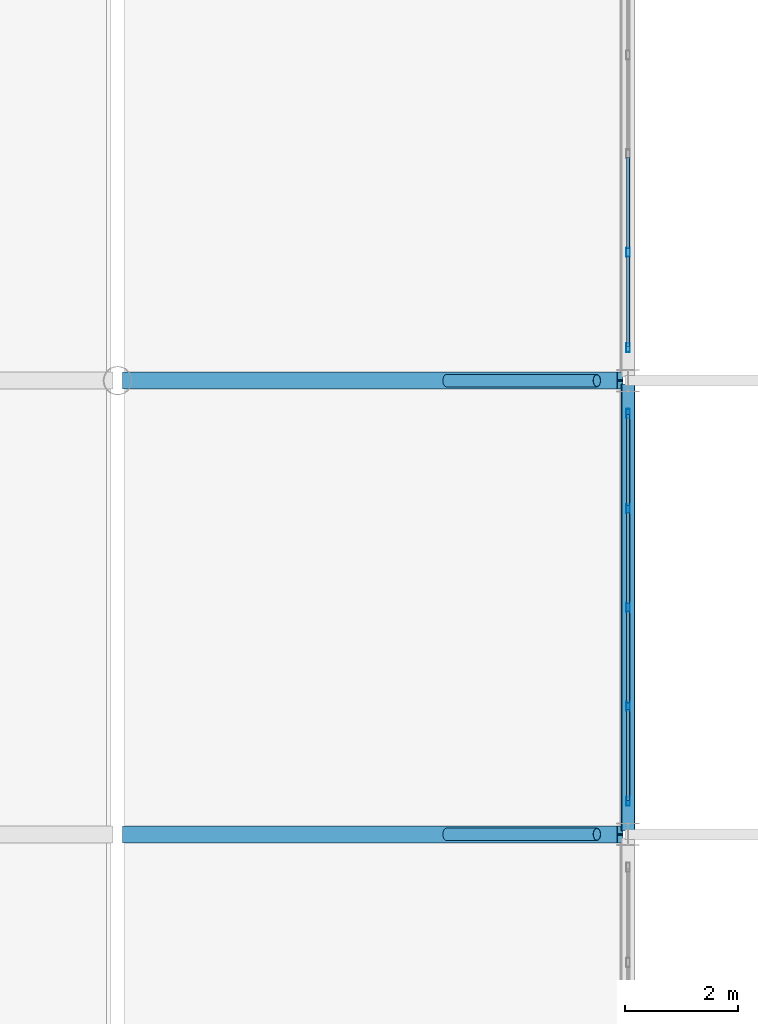
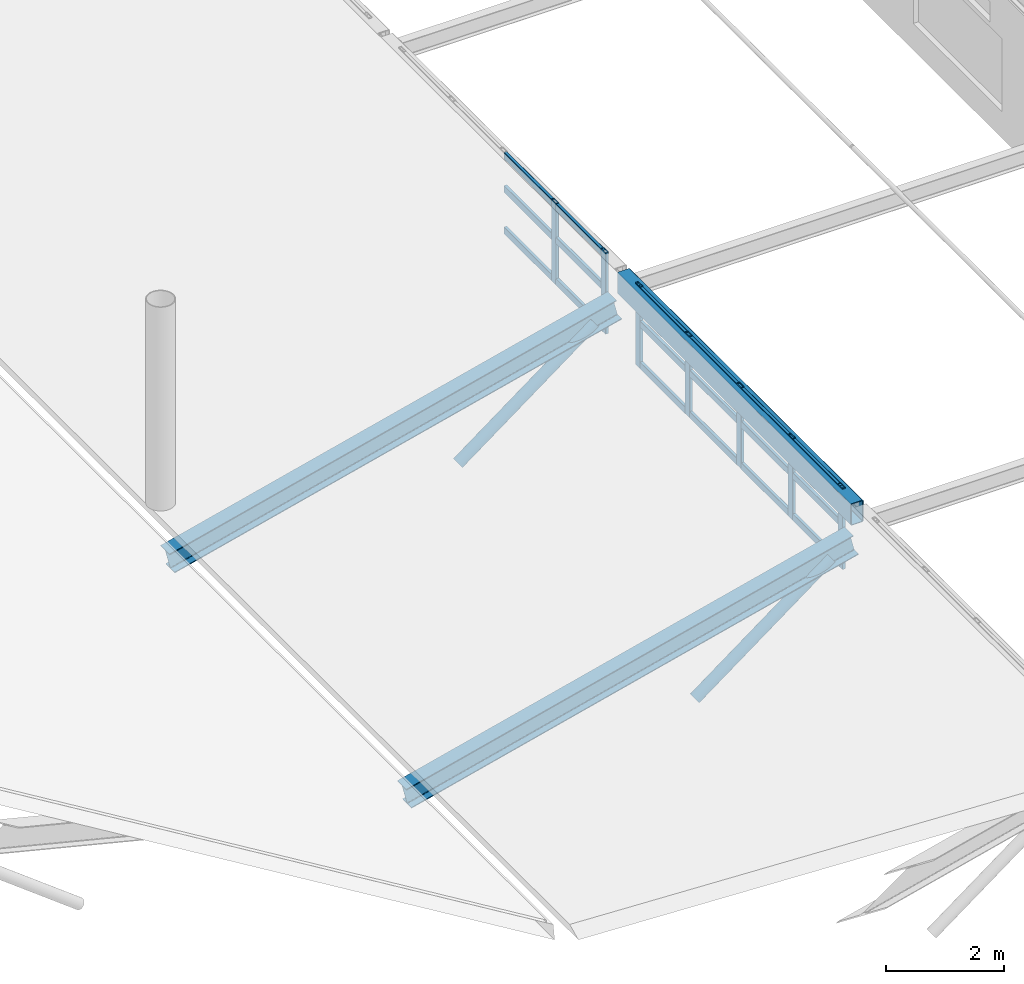
# One storey, part 41 of 128: 27 members, 3 beams, 2 elements without a shape of their own.
"""IFC4 building model written with IfcOpenShell, lengths in metres."""

from ifc_helpers import new_model, si_unit, derived_unit, direction, frame, origin, origin_2d, place, context, subcontext, project, spatial, hollow_rectangle, hollow_circle, i_section, extrude, material, material_profile, profile_set, type_object, element, aggregate, save


model = new_model("IFC4")

# Units and contexts
model_context = context("Model", 3, precision=1e-05, world=origin(), true_north=direction((0.0, 1.0)))
body_context = subcontext(model_context, "Body", "Model", "MODEL_VIEW")
ifc_project = project(units=[si_unit("LENGTHUNIT", "METRE"), si_unit("AREAUNIT", "SQUARE_METRE"), si_unit("VOLUMEUNIT", "CUBIC_METRE"), si_unit("PLANEANGLEUNIT", "RADIAN"), si_unit("MASSUNIT", "GRAM", prefix="KILO"), derived_unit("THERMALTRANSMITTANCEUNIT", [(si_unit("MASSUNIT", "GRAM", prefix="KILO"), 1), (si_unit("TIMEUNIT", "SECOND"), -3), (si_unit("THERMODYNAMICTEMPERATUREUNIT", "KELVIN"), -1)])], contexts=[model_context])

# Site, building, storey
site_placement = place(None, origin())
site = spatial("IfcSite", under=ifc_project, at=site_placement, CompositionType="ELEMENT")
building_placement = place(site_placement, origin())
building = spatial("IfcBuilding", under=site, at=building_placement, Name="Zhenchuan Archway Interchange", CompositionType="ELEMENT")
storey_placement = place(building_placement, frame((0.0, 0.0, 14.39990234375)))
storey = spatial("IfcBuildingStorey", under=building, at=storey_placement, Name="L03", CompositionType="ELEMENT", Elevation=14.39990234375)

# Beams
ifc_material_1 = material(Name="Steel Q390", Category="steel")
ifc_material_profile_1 = material_profile(ifc_material_1, hollow_rectangle(XDim=0.25, YDim=0.449951171875, WallThickness=0.013916015625, InnerFilletRadius=0.013916015625, OuterFilletRadius=0.028076171875, at=origin_2d()), Name="RHS 450x250x14")
ifc_profile_set_1 = profile_set([ifc_material_profile_1], Name="Steel Q390")
beam_type_1 = type_object("IfcBeamType", Name="BM_RING_RHS450", PredefinedType="BEAM", material=ifc_profile_set_1)
beam_placement = place(storey_placement, frame((27.0, 64.06005859375, 1.4501953125), z_axis=(0.0, 1.0, 0.0), x_axis=(-1.0, 0.0, 0.0)))
element("IfcBeam", 1, at=beam_placement, inside=storey, type_object=beam_type_1, Name="CONCOURSE CABLE-NET RING BEAM W-6", PredefinedType="BEAM", context=body_context, shape_type="SweptSolid", body=[
    extrude(hollow_rectangle(XDim=0.25, YDim=0.449951171875, WallThickness=0.013916015625, InnerFilletRadius=0.013916015625, OuterFilletRadius=0.028076171875, at=origin_2d()), origin(), (0.0, 0.0, 1.0), 7.8798828125),
])
ifc_material_2 = material(Name="Steel Q355", Category="steel")
ifc_material_profile_2 = material_profile(ifc_material_2, i_section(OverallWidth=0.300048828125, OverallDepth=0.43994140625, WebThickness=0.010986328125, FlangeThickness=0.01806640625, FilletRadius=0.02197265625, at=origin_2d()), Name="HM 440x300")
ifc_profile_set_2 = profile_set([ifc_material_profile_2], Name="Steel Q355")
beam_type_2 = type_object("IfcBeamType", Name="BM_STL_HM440", PredefinedType="BEAM", material=ifc_profile_set_2)
for number, where, z_axis, x_axis, name in (
    (2, (18.139892578125, 64.0, -1.219970703125), (0.97013930464, 0.0, 0.242548406698), (0.0, 1.0, 0.0), "ROOF TRUSS bus canopy T6 top chord 3"),
    (3, (18.139892578125, 72.0, -1.219970703125), (0.97013930464, 0.0, 0.242548406698), (0.0, 1.0, 0.0), "ROOF TRUSS bus canopy T7 top chord 3"),
):
    element("IfcBeam", number, at=place(storey_placement, frame(where, z_axis=z_axis, x_axis=x_axis)), inside=storey, type_object=beam_type_2, Name=name, PredefinedType="BEAM", context=body_context, shape_type="SweptSolid", body=[
        extrude(i_section(OverallWidth=0.300048828125, OverallDepth=0.43994140625, WebThickness=0.010986328125, FlangeThickness=0.01806640625, FilletRadius=0.02197265625, at=origin_2d()), origin(), (0.0, 0.0, 1.0), 8.988525390625),
    ])

# Curtain wall, members
ifc_material_3 = material(Name="Anodised Aluminium", Category="aluminium")
curtain_wall_type = type_object("IfcCurtainWallType", Name="CW_UNIT_3", PredefinedType="NOTDEFINED", material=ifc_material_3)
curtain_wall_1_placement = place(storey_placement, origin())
curtain_wall_1 = element("IfcCurtainWall", 4, at=curtain_wall_1_placement, inside=storey, type_object=curtain_wall_type, Name="Unitised curtain wall CW:L03:RING-W6", PredefinedType="NOTDEFINED")
ifc_material_profile_3 = material_profile(ifc_material_3, hollow_rectangle(XDim=0.06005859375, YDim=0.159912109375, WallThickness=0.00390625, InnerFilletRadius=0.00390625, OuterFilletRadius=0.008056640625, at=origin_2d()), Name="ALU 160x60x4")
ifc_profile_set_3 = profile_set([ifc_material_profile_3], Name="Anodised Aluminium")
member_type_1 = type_object("IfcMemberType", Name="CW_MUL_150", PredefinedType="MULLION", material=ifc_profile_set_3)
member_1_placement = place(storey_placement, frame((27.0, 64.580078125, 0.02001953125), z_axis=(0.0, 0.0, 1.0), x_axis=(1.0, 0.0, 0.0)))
member_1 = element("IfcMember", 5, at=member_1_placement, type_object=member_type_1, Name="CW:L03:RING-W6 mullion 0", PredefinedType="MULLION", context=body_context, shape_type="SweptSolid", body=[
    extrude(hollow_rectangle(XDim=0.06005859375, YDim=0.159912109375, WallThickness=0.00390625, InnerFilletRadius=0.00390625, OuterFilletRadius=0.008056640625, at=origin_2d()), origin(), (0.0, 0.0, 1.0), 1.68017578125),
])
member_2_placement = place(storey_placement, frame((27.0, 66.260009765625, 0.02001953125), z_axis=(0.0, 0.0, 1.0), x_axis=(1.0, 0.0, 0.0)))
member_2 = element("IfcMember", 6, at=member_2_placement, type_object=member_type_1, Name="CW:L03:RING-W6 mullion 1", PredefinedType="MULLION", context=body_context, shape_type="SweptSolid", body=[
    extrude(hollow_rectangle(XDim=0.06005859375, YDim=0.159912109375, WallThickness=0.00390625, InnerFilletRadius=0.00390625, OuterFilletRadius=0.008056640625, at=origin_2d()), origin(), (0.0, 0.0, 1.0), 1.68017578125),
])
member_3_placement = place(storey_placement, frame((27.0, 68.0, 0.02001953125), z_axis=(0.0, 0.0, 1.0), x_axis=(1.0, 0.0, 0.0)))
member_3 = element("IfcMember", 7, at=member_3_placement, type_object=member_type_1, Name="CW:L03:RING-W6 mullion 2", PredefinedType="MULLION", context=body_context, shape_type="SweptSolid", body=[
    extrude(hollow_rectangle(XDim=0.06005859375, YDim=0.159912109375, WallThickness=0.00390625, InnerFilletRadius=0.00390625, OuterFilletRadius=0.008056640625, at=origin_2d()), origin(), (0.0, 0.0, 1.0), 1.68017578125),
])
member_4_placement = place(storey_placement, frame((27.0, 69.739990234375, 0.02001953125), z_axis=(0.0, 0.0, 1.0), x_axis=(1.0, 0.0, 0.0)))
member_4 = element("IfcMember", 8, at=member_4_placement, type_object=member_type_1, Name="CW:L03:RING-W6 mullion 3", PredefinedType="MULLION", context=body_context, shape_type="SweptSolid", body=[
    extrude(hollow_rectangle(XDim=0.06005859375, YDim=0.159912109375, WallThickness=0.00390625, InnerFilletRadius=0.00390625, OuterFilletRadius=0.008056640625, at=origin_2d()), origin(), (0.0, 0.0, 1.0), 1.68017578125),
])
member_5_placement = place(storey_placement, frame((27.0, 71.419921875, 0.02001953125), z_axis=(0.0, 0.0, 1.0), x_axis=(1.0, 0.0, 0.0)))
member_5 = element("IfcMember", 9, at=member_5_placement, type_object=member_type_1, Name="CW:L03:RING-W6 mullion 4", PredefinedType="MULLION", context=body_context, shape_type="SweptSolid", body=[
    extrude(hollow_rectangle(XDim=0.06005859375, YDim=0.159912109375, WallThickness=0.00390625, InnerFilletRadius=0.00390625, OuterFilletRadius=0.008056640625, at=origin_2d()), origin(), (0.0, 0.0, 1.0), 1.68017578125),
])

curtain_wall_2_placement = place(storey_placement, origin())
curtain_wall_2 = element("IfcCurtainWall", 10, at=curtain_wall_2_placement, inside=storey, type_object=curtain_wall_type, Name="Unitised curtain wall CW:L03:RING-W7", PredefinedType="NOTDEFINED")
member_6_placement = place(storey_placement, frame((27.0, 72.580078125, 0.02001953125), z_axis=(0.0, 0.0, 1.0), x_axis=(1.0, 0.0, 0.0)))
member_6 = element("IfcMember", 11, at=member_6_placement, type_object=member_type_1, Name="CW:L03:RING-W7 mullion 0", PredefinedType="MULLION", context=body_context, shape_type="SweptSolid", body=[
    extrude(hollow_rectangle(XDim=0.06005859375, YDim=0.159912109375, WallThickness=0.00390625, InnerFilletRadius=0.00390625, OuterFilletRadius=0.008056640625, at=origin_2d()), origin(), (0.0, 0.0, 1.0), 1.68017578125),
])
member_7_placement = place(storey_placement, frame((27.0, 74.260009765625, 0.02001953125), z_axis=(0.0, 0.0, 1.0), x_axis=(1.0, 0.0, 0.0)))
member_7 = element("IfcMember", 12, at=member_7_placement, type_object=member_type_1, Name="CW:L03:RING-W7 mullion 1", PredefinedType="MULLION", context=body_context, shape_type="SweptSolid", body=[
    extrude(hollow_rectangle(XDim=0.06005859375, YDim=0.159912109375, WallThickness=0.00390625, InnerFilletRadius=0.00390625, OuterFilletRadius=0.008056640625, at=origin_2d()), origin(), (0.0, 0.0, 1.0), 1.68017578125),
])

# Member
ifc_material_profile_4 = material_profile(ifc_material_3, hollow_rectangle(XDim=0.06005859375, YDim=0.139892578125, WallThickness=0.00341796875, InnerFilletRadius=0.00341796875, OuterFilletRadius=0.007080078125, at=origin_2d()), Name="ALU 140x60x3.5")
ifc_profile_set_4 = profile_set([ifc_material_profile_4], Name="Anodised Aluminium")
member_type_2 = type_object("IfcMemberType", Name="CW_TRN_140", PredefinedType="USERDEFINED", material=ifc_profile_set_4)
member_8_placement = place(storey_placement, frame((27.0, 64.60009765625, 0.080078125), z_axis=(0.0, 1.0, 0.0), x_axis=(-1.0, 0.0, 0.0)))
member_8 = element("IfcMember", 13, at=member_8_placement, type_object=member_type_2, Name="CW:L03:RING-W6 transom 0-1", ObjectType="TRANSOM", PredefinedType="USERDEFINED", context=body_context, shape_type="SweptSolid", body=[
    extrude(hollow_rectangle(XDim=0.06005859375, YDim=0.139892578125, WallThickness=0.00341796875, InnerFilletRadius=0.00341796875, OuterFilletRadius=0.007080078125, at=origin_2d()), origin(), (0.0, 0.0, 1.0), 1.599853515625),
])

member_9_placement = place(storey_placement, frame((27.0, 64.60009765625, 0.93310546875), z_axis=(0.0, 1.0, 0.0), x_axis=(-1.0, 0.0, 0.0)))
member_9 = element("IfcMember", 14, at=member_9_placement, type_object=member_type_2, Name="CW:L03:RING-W6 transom 0-2", ObjectType="TRANSOM", PredefinedType="USERDEFINED", context=body_context, shape_type="SweptSolid", body=[
    extrude(hollow_rectangle(XDim=0.06005859375, YDim=0.139892578125, WallThickness=0.00341796875, InnerFilletRadius=0.00341796875, OuterFilletRadius=0.007080078125, at=origin_2d()), origin(), (0.0, 0.0, 1.0), 1.599853515625),
])

member_10_placement = place(storey_placement, frame((27.0, 64.60009765625, 1.6201171875), z_axis=(0.0, 1.0, 0.0), x_axis=(-1.0, 0.0, 0.0)))
member_10 = element("IfcMember", 15, at=member_10_placement, type_object=member_type_2, Name="CW:L03:RING-W6 transom 0-3", ObjectType="TRANSOM", PredefinedType="USERDEFINED", context=body_context, shape_type="SweptSolid", body=[
    extrude(hollow_rectangle(XDim=0.06005859375, YDim=0.139892578125, WallThickness=0.00341796875, InnerFilletRadius=0.00341796875, OuterFilletRadius=0.007080078125, at=origin_2d()), origin(), (0.0, 0.0, 1.0), 1.599853515625),
])

member_11_placement = place(storey_placement, frame((27.0, 66.320068359375, 0.080078125), z_axis=(0.0, 1.0, 0.0), x_axis=(-1.0, 0.0, 0.0)))
member_11 = element("IfcMember", 16, at=member_11_placement, type_object=member_type_2, Name="CW:L03:RING-W6 transom 1-1", ObjectType="TRANSOM", PredefinedType="USERDEFINED", context=body_context, shape_type="SweptSolid", body=[
    extrude(hollow_rectangle(XDim=0.06005859375, YDim=0.139892578125, WallThickness=0.00341796875, InnerFilletRadius=0.00341796875, OuterFilletRadius=0.007080078125, at=origin_2d()), origin(), (0.0, 0.0, 1.0), 1.619873046875),
])

member_12_placement = place(storey_placement, frame((27.0, 66.320068359375, 0.93310546875), z_axis=(0.0, 1.0, 0.0), x_axis=(-1.0, 0.0, 0.0)))
member_12 = element("IfcMember", 17, at=member_12_placement, type_object=member_type_2, Name="CW:L03:RING-W6 transom 1-2", ObjectType="TRANSOM", PredefinedType="USERDEFINED", context=body_context, shape_type="SweptSolid", body=[
    extrude(hollow_rectangle(XDim=0.06005859375, YDim=0.139892578125, WallThickness=0.00341796875, InnerFilletRadius=0.00341796875, OuterFilletRadius=0.007080078125, at=origin_2d()), origin(), (0.0, 0.0, 1.0), 1.619873046875),
])

member_13_placement = place(storey_placement, frame((27.0, 66.320068359375, 1.6201171875), z_axis=(0.0, 1.0, 0.0), x_axis=(-1.0, 0.0, 0.0)))
member_13 = element("IfcMember", 18, at=member_13_placement, type_object=member_type_2, Name="CW:L03:RING-W6 transom 1-3", ObjectType="TRANSOM", PredefinedType="USERDEFINED", context=body_context, shape_type="SweptSolid", body=[
    extrude(hollow_rectangle(XDim=0.06005859375, YDim=0.139892578125, WallThickness=0.00341796875, InnerFilletRadius=0.00341796875, OuterFilletRadius=0.007080078125, at=origin_2d()), origin(), (0.0, 0.0, 1.0), 1.619873046875),
])

member_14_placement = place(storey_placement, frame((27.0, 68.06005859375, 0.080078125), z_axis=(0.0, 1.0, 0.0), x_axis=(-1.0, 0.0, 0.0)))
member_14 = element("IfcMember", 19, at=member_14_placement, type_object=member_type_2, Name="CW:L03:RING-W6 transom 2-1", ObjectType="TRANSOM", PredefinedType="USERDEFINED", context=body_context, shape_type="SweptSolid", body=[
    extrude(hollow_rectangle(XDim=0.06005859375, YDim=0.139892578125, WallThickness=0.00341796875, InnerFilletRadius=0.00341796875, OuterFilletRadius=0.007080078125, at=origin_2d()), origin(), (0.0, 0.0, 1.0), 1.619873046875),
])

member_15_placement = place(storey_placement, frame((27.0, 68.06005859375, 0.93310546875), z_axis=(0.0, 1.0, 0.0), x_axis=(-1.0, 0.0, 0.0)))
member_15 = element("IfcMember", 20, at=member_15_placement, type_object=member_type_2, Name="CW:L03:RING-W6 transom 2-2", ObjectType="TRANSOM", PredefinedType="USERDEFINED", context=body_context, shape_type="SweptSolid", body=[
    extrude(hollow_rectangle(XDim=0.06005859375, YDim=0.139892578125, WallThickness=0.00341796875, InnerFilletRadius=0.00341796875, OuterFilletRadius=0.007080078125, at=origin_2d()), origin(), (0.0, 0.0, 1.0), 1.619873046875),
])

member_16_placement = place(storey_placement, frame((27.0, 68.06005859375, 1.6201171875), z_axis=(0.0, 1.0, 0.0), x_axis=(-1.0, 0.0, 0.0)))
member_16 = element("IfcMember", 21, at=member_16_placement, type_object=member_type_2, Name="CW:L03:RING-W6 transom 2-3", ObjectType="TRANSOM", PredefinedType="USERDEFINED", context=body_context, shape_type="SweptSolid", body=[
    extrude(hollow_rectangle(XDim=0.06005859375, YDim=0.139892578125, WallThickness=0.00341796875, InnerFilletRadius=0.00341796875, OuterFilletRadius=0.007080078125, at=origin_2d()), origin(), (0.0, 0.0, 1.0), 1.619873046875),
])

member_17_placement = place(storey_placement, frame((27.0, 69.800048828125, 0.080078125), z_axis=(0.0, 1.0, 0.0), x_axis=(-1.0, 0.0, 0.0)))
member_17 = element("IfcMember", 22, at=member_17_placement, type_object=member_type_2, Name="CW:L03:RING-W6 transom 3-1", ObjectType="TRANSOM", PredefinedType="USERDEFINED", context=body_context, shape_type="SweptSolid", body=[
    extrude(hollow_rectangle(XDim=0.06005859375, YDim=0.139892578125, WallThickness=0.00341796875, InnerFilletRadius=0.00341796875, OuterFilletRadius=0.007080078125, at=origin_2d()), origin(), (0.0, 0.0, 1.0), 1.599853515625),
])

member_18_placement = place(storey_placement, frame((27.0, 69.800048828125, 0.93310546875), z_axis=(0.0, 1.0, 0.0), x_axis=(-1.0, 0.0, 0.0)))
member_18 = element("IfcMember", 23, at=member_18_placement, type_object=member_type_2, Name="CW:L03:RING-W6 transom 3-2", ObjectType="TRANSOM", PredefinedType="USERDEFINED", context=body_context, shape_type="SweptSolid", body=[
    extrude(hollow_rectangle(XDim=0.06005859375, YDim=0.139892578125, WallThickness=0.00341796875, InnerFilletRadius=0.00341796875, OuterFilletRadius=0.007080078125, at=origin_2d()), origin(), (0.0, 0.0, 1.0), 1.599853515625),
])

member_19_placement = place(storey_placement, frame((27.0, 69.800048828125, 1.6201171875), z_axis=(0.0, 1.0, 0.0), x_axis=(-1.0, 0.0, 0.0)))
member_19 = element("IfcMember", 24, at=member_19_placement, type_object=member_type_2, Name="CW:L03:RING-W6 transom 3-3", ObjectType="TRANSOM", PredefinedType="USERDEFINED", context=body_context, shape_type="SweptSolid", body=[
    extrude(hollow_rectangle(XDim=0.06005859375, YDim=0.139892578125, WallThickness=0.00341796875, InnerFilletRadius=0.00341796875, OuterFilletRadius=0.007080078125, at=origin_2d()), origin(), (0.0, 0.0, 1.0), 1.599853515625),
])

aggregate(curtain_wall_1, [member_1, member_2, member_3, member_4, member_5, member_8, member_9, member_10, member_11, member_12, member_13, member_14, member_15, member_16, member_17, member_18, member_19])

member_20_placement = place(storey_placement, frame((27.0, 72.60009765625, 0.080078125), z_axis=(0.0, 1.0, 0.0), x_axis=(-1.0, 0.0, 0.0)))
member_20 = element("IfcMember", 25, at=member_20_placement, type_object=member_type_2, Name="CW:L03:RING-W7 transom 0-1", ObjectType="TRANSOM", PredefinedType="USERDEFINED", context=body_context, shape_type="SweptSolid", body=[
    extrude(hollow_rectangle(XDim=0.06005859375, YDim=0.139892578125, WallThickness=0.00341796875, InnerFilletRadius=0.00341796875, OuterFilletRadius=0.007080078125, at=origin_2d()), origin(), (0.0, 0.0, 1.0), 1.599853515625),
])

member_21_placement = place(storey_placement, frame((27.0, 72.60009765625, 0.93310546875), z_axis=(0.0, 1.0, 0.0), x_axis=(-1.0, 0.0, 0.0)))
member_21 = element("IfcMember", 26, at=member_21_placement, type_object=member_type_2, Name="CW:L03:RING-W7 transom 0-2", ObjectType="TRANSOM", PredefinedType="USERDEFINED", context=body_context, shape_type="SweptSolid", body=[
    extrude(hollow_rectangle(XDim=0.06005859375, YDim=0.139892578125, WallThickness=0.00341796875, InnerFilletRadius=0.00341796875, OuterFilletRadius=0.007080078125, at=origin_2d()), origin(), (0.0, 0.0, 1.0), 1.599853515625),
])

member_22_placement = place(storey_placement, frame((27.0, 72.60009765625, 1.6201171875), z_axis=(0.0, 1.0, 0.0), x_axis=(-1.0, 0.0, 0.0)))
member_22 = element("IfcMember", 27, at=member_22_placement, type_object=member_type_2, Name="CW:L03:RING-W7 transom 0-3", ObjectType="TRANSOM", PredefinedType="USERDEFINED", context=body_context, shape_type="SweptSolid", body=[
    extrude(hollow_rectangle(XDim=0.06005859375, YDim=0.139892578125, WallThickness=0.00341796875, InnerFilletRadius=0.00341796875, OuterFilletRadius=0.007080078125, at=origin_2d()), origin(), (0.0, 0.0, 1.0), 1.599853515625),
])

member_23_placement = place(storey_placement, frame((27.0, 74.320068359375, 0.080078125), z_axis=(0.0, 1.0, 0.0), x_axis=(-1.0, 0.0, 0.0)))
member_23 = element("IfcMember", 28, at=member_23_placement, type_object=member_type_2, Name="CW:L03:RING-W7 transom 1-1", ObjectType="TRANSOM", PredefinedType="USERDEFINED", context=body_context, shape_type="SweptSolid", body=[
    extrude(hollow_rectangle(XDim=0.06005859375, YDim=0.139892578125, WallThickness=0.00341796875, InnerFilletRadius=0.00341796875, OuterFilletRadius=0.007080078125, at=origin_2d()), origin(), (0.0, 0.0, 1.0), 1.619873046875),
])

member_24_placement = place(storey_placement, frame((27.0, 74.320068359375, 0.93310546875), z_axis=(0.0, 1.0, 0.0), x_axis=(-1.0, 0.0, 0.0)))
member_24 = element("IfcMember", 29, at=member_24_placement, type_object=member_type_2, Name="CW:L03:RING-W7 transom 1-2", ObjectType="TRANSOM", PredefinedType="USERDEFINED", context=body_context, shape_type="SweptSolid", body=[
    extrude(hollow_rectangle(XDim=0.06005859375, YDim=0.139892578125, WallThickness=0.00341796875, InnerFilletRadius=0.00341796875, OuterFilletRadius=0.007080078125, at=origin_2d()), origin(), (0.0, 0.0, 1.0), 1.619873046875),
])

member_25_placement = place(storey_placement, frame((27.0, 74.320068359375, 1.6201171875), z_axis=(0.0, 1.0, 0.0), x_axis=(-1.0, 0.0, 0.0)))
member_25 = element("IfcMember", 30, at=member_25_placement, type_object=member_type_2, Name="CW:L03:RING-W7 transom 1-3", ObjectType="TRANSOM", PredefinedType="USERDEFINED", context=body_context, shape_type="SweptSolid", body=[
    extrude(hollow_rectangle(XDim=0.06005859375, YDim=0.139892578125, WallThickness=0.00341796875, InnerFilletRadius=0.00341796875, OuterFilletRadius=0.007080078125, at=origin_2d()), origin(), (0.0, 0.0, 1.0), 1.619873046875),
])

aggregate(curtain_wall_2, [member_6, member_7, member_20, member_21, member_22, member_23, member_24, member_25])

# Members
ifc_material_profile_5 = material_profile(ifc_material_2, hollow_circle(Radius=0.109619140625, WallThickness=0.008056640625, at=origin_2d()), Name="CHS 219x8")
ifc_profile_set_5 = profile_set([ifc_material_profile_5], Name="Steel Q355")
member_type_3 = type_object("IfcMemberType", Name="MB_CHS219", PredefinedType="BRACE", material=ifc_profile_set_5)
for number, where, z_axis, x_axis, name in (
    (31, (23.800048828125, 64.0, -1.219970703125), (0.801079207633, 0.0, 0.598558353962), (0.0, 1.0, 0.0), "ROOF TRUSS bus canopy T6 web D3"),
    (32, (23.800048828125, 72.0, -1.219970703125), (0.801079207633, 0.0, 0.598558353962), (0.0, 1.0, 0.0), "ROOF TRUSS bus canopy T7 web D3"),
):
    element("IfcMember", number, at=place(storey_placement, frame(where, z_axis=z_axis, x_axis=x_axis)), inside=storey, type_object=member_type_3, Name=name, PredefinedType="BRACE", context=body_context, shape_type="SweptSolid", body=[
        extrude(hollow_circle(Radius=0.109619140625, WallThickness=0.008056640625, at=origin_2d()), origin(), (0.0, 0.0, 1.0), 3.307861328125),
    ])

save(model, "model.ifc")
